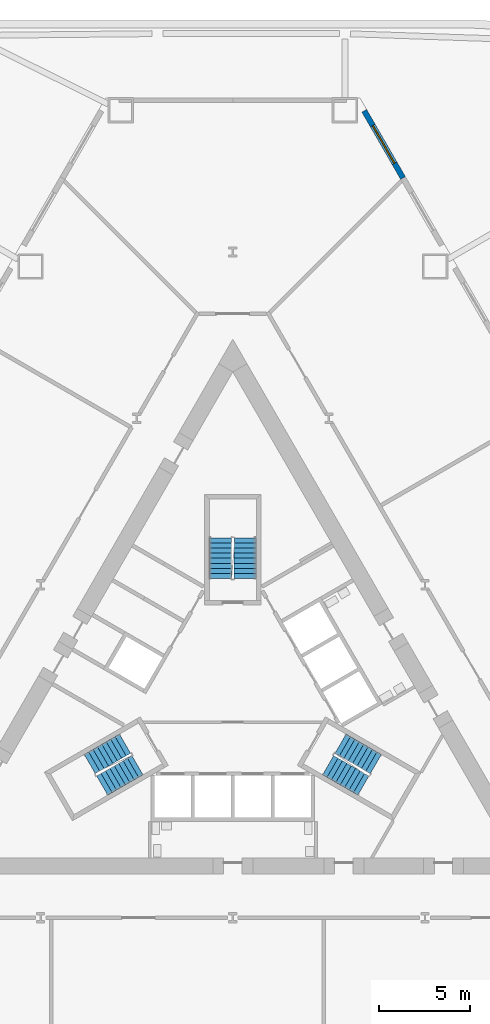
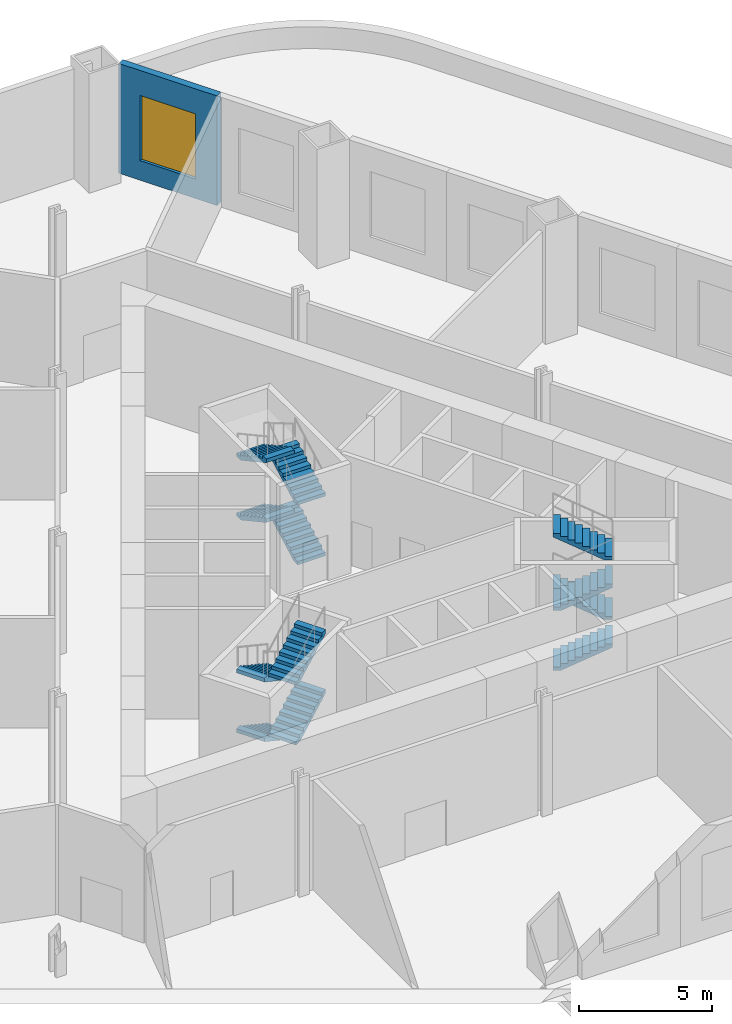
# One storey, part 7 of 10: 12 stair flights, 1 wall, 1 window, 1 opening, 3 elements without a shape of their own.
"""IFC4 building model written with IfcOpenShell, lengths in metres."""

import ifcopenshell
import ifcopenshell.guid

model = None  # the IFC model being written
_history = None  # IfcOwnerHistory: only IFC2X3 demands one
_inside = {}  # id of a spatial element -> (the spatial element, [elements in it])
_under = {}  # id of a project, library or spatial element -> (it, [spatial elements below it])
_declared = {}  # id of a project -> (the project, [libraries it declares])
_typed = {}  # id of a type object -> (the type object, [elements of that type])
_made_of = {}  # id of a material, layer set ... -> (it, [elements and type objects made of it])


def new_model(schema):
    """Start an empty IFC model of exactly this schema.

    Asked for "IFC4X3", IfcOpenShell would pick the latest addendum, in which some entities
    have other attributes; the version numbers below select the first issue.
    IFC2X3 requires an IfcOwnerHistory on every rooted entity: one is made here for all.
    """
    global model, _history
    if schema == "IFC4X3":
        model = ifcopenshell.file(schema_version=(4, 3, 0, 0))
    else:
        model = ifcopenshell.file(schema=schema)
    _inside.clear()
    _under.clear()
    _declared.clear()
    _typed.clear()
    _made_of.clear()
    _history = None
    if model.schema == "IFC2X3":
        org = make("IfcOrganization", Name="unknown")
        user = make(
            "IfcPersonAndOrganization",
            ThePerson=make("IfcPerson", FamilyName="unknown"),
            TheOrganization=org,
        )
        app = make(
            "IfcApplication",
            ApplicationDeveloper=org,
            Version="unknown",
            ApplicationFullName="unknown",
            ApplicationIdentifier="unknown",
        )
        _history = make(
            "IfcOwnerHistory",
            OwningUser=user,
            OwningApplication=app,
            ChangeAction="ADDED",
            CreationDate=0,
        )
    return model


def make(cls, **values):
    """One entity of the class cls with the attributes given. An attribute that is None is left unset."""
    return model.create_entity(
        cls, **{name: value for name, value in values.items() if value is not None}
    )


def rooted(cls, **values):
    """An entity with a GlobalId (a new one), such as an element, a storey or a relation."""
    return make(cls, GlobalId=ifcopenshell.guid.new(), OwnerHistory=_history, **values)


def si_unit(unit_type, name, prefix=None):
    """IfcSIUnit, for example si_unit("LENGTHUNIT", "METRE", prefix="MILLI")."""
    return make("IfcSIUnit", UnitType=unit_type, Prefix=prefix, Name=name)


def assignment(units):
    """IfcUnitAssignment: the units of a project."""
    return None if units is None else make("IfcUnitAssignment", Units=units)


def point(xyz):
    """IfcCartesianPoint."""
    return None if xyz is None else make("IfcCartesianPoint", Coordinates=xyz)


def direction(xyz):
    """IfcDirection."""
    return None if xyz is None else make("IfcDirection", DirectionRatios=xyz)


def frame(location, z_axis=None, x_axis=None):
    """IfcAxis2Placement3D, a coordinate frame: its origin and axes. An axis left out is left unset."""
    return make(
        "IfcAxis2Placement3D",
        Location=point(location),
        Axis=direction(z_axis),
        RefDirection=direction(x_axis),
    )


def frame_2d(location, x_axis=None):
    """IfcAxis2Placement2D, a coordinate frame in the plane: its origin and x axis."""
    return make(
        "IfcAxis2Placement2D", Location=point(location), RefDirection=direction(x_axis)
    )


def origin():
    """The frame at (0, 0, 0) with its axes left unset."""
    return frame((0.0, 0.0, 0.0))


def place(relative_to, where):
    """IfcLocalPlacement: puts the frame where relative to a parent placement (None: the world)."""
    return make(
        "IfcLocalPlacement", PlacementRelTo=relative_to, RelativePlacement=where
    )


def context(
    kind, dimensions, precision=None, world=None, true_north=None, identifier=None
):
    """IfcGeometricRepresentationContext, for example the 3D "Model" context."""
    return make(
        "IfcGeometricRepresentationContext",
        ContextIdentifier=identifier,
        ContextType=kind,
        CoordinateSpaceDimension=dimensions,
        Precision=precision,
        WorldCoordinateSystem=world,
        TrueNorth=true_north,
    )


def subcontext(parent, identifier, kind, view, scale=None):
    """IfcGeometricRepresentationSubContext, for example "Body" below "Model"."""
    return make(
        "IfcGeometricRepresentationSubContext",
        ContextIdentifier=identifier,
        ContextType=kind,
        ParentContext=parent,
        TargetScale=scale,
        TargetView=view,
    )


def project(units=None, contexts=None):
    """IfcProject with its units and contexts."""
    return rooted(
        "IfcProject",
        Name="project",
        RepresentationContexts=contexts,
        UnitsInContext=assignment(units),
    )


def spatial(cls, under=None, at=None, **own):
    """A site, building, storey or space (cls), placed at a placement, below another one or the project."""
    s = rooted(cls, ObjectPlacement=at, **own)
    if under is not None:
        _under.setdefault(under.id(), (under, []))[1].append(s)
    return s


def polyline(points):
    """IfcPolyline through the points."""
    return make("IfcPolyline", Points=[point(p) for p in points])


def profile(cls, at=None, kind="AREA", **sizes):
    """A parametric profile (cls). Its sizes go by their IFC names, for example OverallWidth=200.0."""
    return make(cls, ProfileType=kind, Position=at, **sizes)


def rectangle(**sizes):
    """IfcRectangleProfileDef."""
    return profile("IfcRectangleProfileDef", **sizes)


def outline(outer, holes=None, kind="AREA"):
    """IfcArbitraryClosedProfileDef: a profile drawn as a closed curve; with holes, ...WithVoids."""
    if holes is None:
        return make("IfcArbitraryClosedProfileDef", ProfileType=kind, OuterCurve=outer)
    return make(
        "IfcArbitraryProfileDefWithVoids",
        ProfileType=kind,
        OuterCurve=outer,
        InnerCurves=holes,
    )


def extrude(swept, where, along, depth):
    """IfcExtrudedAreaSolid: the profile swept, set in the frame where, extruded along a direction by depth."""
    return make(
        "IfcExtrudedAreaSolid",
        SweptArea=swept,
        Position=where,
        ExtrudedDirection=direction(along),
        Depth=depth,
    )


def shape(context_of_items, identifier, shape_type, items):
    """IfcShapeRepresentation: the items that make up one representation, for example the "Body"."""
    return make(
        "IfcShapeRepresentation",
        ContextOfItems=context_of_items,
        RepresentationIdentifier=identifier,
        RepresentationType=shape_type,
        Items=items,
    )


def material(Name=None, Category=None):
    """IfcMaterial."""
    return make("IfcMaterial", Name=Name, Category=Category)


def layer(
    of_material, thickness, ventilated=None, Name=None, Category=None, Priority=None
):
    """IfcMaterialLayer: one layer of a wall or slab, of a material (None: an air gap)."""
    return make(
        "IfcMaterialLayer",
        Material=of_material,
        LayerThickness=thickness,
        IsVentilated=ventilated,
        Name=Name,
        Category=Category,
        Priority=Priority,
    )


def layer_set(layers, Name=None):
    """IfcMaterialLayerSet."""
    return make("IfcMaterialLayerSet", MaterialLayers=layers, LayerSetName=Name)


def made_of(thing, what):
    """Note that an element or type object is made of a material, layer set ...; save() writes the relation."""
    if what is not None:
        _made_of.setdefault(what.id(), (what, []))[1].append(thing)
    return thing


def type_object(cls, material=None, **own):
    """A type object (cls), such as IfcWallType, which elements share."""
    return made_of(rooted(cls, **own), material)


def element(
    cls,
    number,
    at=None,
    inside=None,
    cuts=None,
    type_object=None,
    material=None,
    context=None,
    identifier="Body",
    shape_type=None,
    held_by="IfcProductDefinitionShape",
    body=None,
    shapes=None,
    **own,
):
    """One element of the class cls, such as IfcWall. Its Tag is "e" and its number.

    at: its placement. inside: the storey or other place that contains it. cuts: it is an
    opening in that element (IfcRelVoidsElement). A single representation is given by context,
    identifier, shape_type and body (its items); several are given by shapes. held_by: the class
    of the entity that holds the representations. save() writes the other relations.
    """
    e = rooted(cls, Tag="e%d" % number, ObjectPlacement=at, **own)
    if body is not None:
        shapes = [shape(context, identifier, shape_type, body)]
    if shapes is not None:
        e.Representation = make(held_by, Representations=shapes)
    if inside is not None:
        _inside.setdefault(inside.id(), (inside, []))[1].append(e)
    if cuts is not None:
        rooted(
            "IfcRelVoidsElement", RelatingBuildingElement=cuts, RelatedOpeningElement=e
        )
    if type_object is not None:
        _typed.setdefault(type_object.id(), (type_object, []))[1].append(e)
    return made_of(e, material)


def fill(opening, filler):
    """IfcRelFillsElement: the door or window that sits in an opening."""
    return rooted(
        "IfcRelFillsElement",
        RelatingOpeningElement=opening,
        RelatedBuildingElement=filler,
    )


def aggregate(whole, parts):
    """IfcRelAggregates: a whole, such as a stair, and the parts it consists of."""
    return rooted("IfcRelAggregates", RelatingObject=whole, RelatedObjects=parts)


def save(model, path):
    """Write the relations noted so far, then the file.

    IfcRelAggregates (storeys below a building ...), IfcRelContainedInSpatialStructure (elements
    in a storey), IfcRelDefinesByType, IfcRelAssociatesMaterial and IfcRelDeclares: one each for
    every whole, place, type object, material and project.
    """
    for whole, parts in _under.values():
        aggregate(whole, parts)
    for where, things in _inside.values():
        rooted(
            "IfcRelContainedInSpatialStructure",
            RelatedElements=things,
            RelatingStructure=where,
        )
    for kind, things in _typed.values():
        rooted("IfcRelDefinesByType", RelatedObjects=things, RelatingType=kind)
    for what, things in _made_of.values():
        rooted("IfcRelAssociatesMaterial", RelatedObjects=things, RelatingMaterial=what)
    for by, libraries in _declared.values():
        rooted("IfcRelDeclares", RelatingContext=by, RelatedDefinitions=libraries)
    model.write(path)


model = new_model("IFC4")

# Units and contexts
model_context = context("Model", 3, precision=1e-05, world=origin(), true_north=direction((0.0, 1.0)))
body_context = subcontext(model_context, "Body", "Model", "MODEL_VIEW")
ifc_project = project(units=[si_unit("LENGTHUNIT", "METRE"), si_unit("AREAUNIT", "SQUARE_METRE"), si_unit("VOLUMEUNIT", "CUBIC_METRE"), si_unit("PLANEANGLEUNIT", "RADIAN"), si_unit("MASSUNIT", "GRAM", prefix="KILO")], contexts=[model_context])

# Site, building, storey
site_placement = place(None, origin())
site = spatial("IfcSite", under=ifc_project, at=site_placement, CompositionType="ELEMENT")
building_placement = place(site_placement, origin())
building = spatial("IfcBuilding", under=site, at=building_placement, Name="Cormorant Prow Tower", CompositionType="ELEMENT")
storey_placement = place(building_placement, frame((0.0, 0.0, 10.0)))
storey = spatial("IfcBuildingStorey", under=building, at=storey_placement, Name="L01", CompositionType="ELEMENT", Elevation=10.0)

# Wall, opening, window
ifc_material_1 = material(Name="Terracotta", Category="masonry")
ifc_layer = layer(ifc_material_1, 0.300048828125)
ifc_layer_set = layer_set([ifc_layer], Name="Terracotta")
wall_type = type_object("IfcWallType", Name="Terracotta podium cladding wall 300", PredefinedType="SOLIDWALL", material=ifc_layer_set)
wall_placement = place(storey_placement, frame((9.3701171875, 28.50390625, 0.0), z_axis=(0.0, 0.0, 1.0), x_axis=(-0.500019418418, 0.866014192265, 0.0)))
wall = element("IfcWall", 1, at=wall_placement, inside=storey, type_object=wall_type, Name="Terracotta podium wall ENE09", PredefinedType="SOLIDWALL", context=body_context, shape_type="SweptSolid", body=[
    extrude(rectangle(XDim=4.269775390625, YDim=0.300048828125, at=frame_2d((2.134765625, 0.0))), origin(), (0.0, 0.0, 1.0), 5.050048828125),
])
opening_placement = place(wall_placement, frame((0.93505859375, 0.0, 0.89990234375)))
opening = element("IfcOpeningElement", 2, at=opening_placement, cuts=wall, Name="Opening WN21", PredefinedType="OPENING", context=body_context, shape_type="SweptSolid", body=[
    extrude(rectangle(XDim=2.39990234375, YDim=3.0, at=frame_2d((1.199951171875, 1.5))), frame((0.0, 0.159912109375, 0.0), z_axis=(0.0, -1.0, 0.0), x_axis=(1.0, 0.0, 0.0)), (0.0, 0.0, 1.0), 0.320068359375),
])
ifc_material_2 = material(Name="Aluminium 6063-T6", Category="aluminium")
window_type = type_object("IfcWindowType", Name="Podium window 2400x3000", PartitioningType="SINGLE_PANEL", PredefinedType="WINDOW", material=ifc_material_2)
window_placement = place(opening_placement, origin())
window = element("IfcWindow", 3, at=window_placement, inside=storey, type_object=window_type, Name="Podium window ENE09", OverallHeight=3.0, OverallWidth=2.39990234375, PartitioningType="SINGLE_PANEL", PredefinedType="WINDOW", context=body_context, shape_type="SweptSolid", body=[
    extrude(rectangle(XDim=2.39990234375, YDim=3.0, at=frame_2d((1.199951171875, 1.5))), frame((0.0, 0.030029296875, 0.0), z_axis=(0.0, -1.0, 0.0), x_axis=(1.0, 0.0, 0.0)), (0.0, 0.0, 1.0), 0.06005859375),
])
fill(opening, window)

# Stair, stair flights
ifc_material_3 = material(Name="Exit stair 36 risers")
stair_type = type_object("IfcStairType", Name="Exit stair 36 risers", PredefinedType="HALF_TURN_STAIR", material=ifc_material_3)
stair_1_placement = place(storey_placement, origin())
stair_1 = element("IfcStair", 4, at=stair_1_placement, inside=storey, type_object=stair_type, Name="L01 Exit stair ST1", PredefinedType="HALF_TURN_STAIR")
ifc_material_4 = material(Name="Concrete 5000 psi", Category="concrete")
stair_flight_type = type_object("IfcStairFlightType", Name="Stair flight 1219", PredefinedType="STRAIGHT", material=ifc_material_4)
stair_flight_1_placement = place(storey_placement, frame((-5.93310546875, -2.635009765625, 0.0), z_axis=(0.0, 0.0, 1.0), x_axis=(-0.866025403784, -0.5, 0.0)))
stair_flight_1 = element("IfcStairFlight", 5, at=stair_flight_1_placement, type_object=stair_flight_type, Name="ST1 flight 1", NumberOfRisers=9, NumberOfTreads=8, PredefinedType="STRAIGHT", RiserHeight=0.152777778, TreadLength=0.28, context=body_context, shape_type="SweptSolid", body=[
    extrude(outline(polyline([(0.0, 0.0), (0.0, 0.15283203125), (0.280029296875, 0.15283203125), (0.280029296875, 0.3056640625), (0.56005859375, 0.3056640625), (0.56005859375, 0.458251953125), (0.840087890625, 0.458251953125), (0.840087890625, 0.611083984375), (1.1201171875, 0.611083984375), (1.1201171875, 0.763916015625), (1.39990234375, 0.763916015625), (1.39990234375, 0.916748046875), (1.679931640625, 0.916748046875), (1.679931640625, 1.0693359375), (1.9599609375, 1.0693359375), (1.9599609375, 1.22216796875), (2.239990234375, 1.22216796875), (2.239990234375, 1.375), (2.239990234375, 1.051513671875), (0.31298828125, 0.0), (0.0, 0.0)])), frame((0.0, 0.609375, 0.0), z_axis=(0.0, -1.0, 0.0), x_axis=(1.0, 0.0, 0.0)), (0.0, 0.0, 1.0), 1.218994140625),
])
stair_flight_2_placement = place(storey_placement, frame((-7.1884765625, -4.940673828125, 1.375), z_axis=(0.0, 0.0, 1.0), x_axis=(0.866025403784, 0.5, 0.0)))
stair_flight_2 = element("IfcStairFlight", 6, at=stair_flight_2_placement, type_object=stair_flight_type, Name="ST1 flight 2", NumberOfRisers=9, NumberOfTreads=8, PredefinedType="STRAIGHT", RiserHeight=0.152777778, TreadLength=0.28, context=body_context, shape_type="SweptSolid", body=[
    extrude(outline(polyline([(0.0, 0.0), (0.0, 0.15283203125), (0.280029296875, 0.15283203125), (0.280029296875, 0.3056640625), (0.56005859375, 0.3056640625), (0.56005859375, 0.458251953125), (0.840087890625, 0.458251953125), (0.840087890625, 0.611083984375), (1.1201171875, 0.611083984375), (1.1201171875, 0.763916015625), (1.39990234375, 0.763916015625), (1.39990234375, 0.916748046875), (1.679931640625, 0.916748046875), (1.679931640625, 1.0693359375), (1.9599609375, 1.0693359375), (1.9599609375, 1.22216796875), (2.239990234375, 1.22216796875), (2.239990234375, 1.375), (2.239990234375, 1.051513671875), (0.31298828125, 0.0), (0.0, 0.0)])), frame((0.0, 0.609375, 0.0), z_axis=(0.0, -1.0, 0.0), x_axis=(1.0, 0.0, 0.0)), (0.0, 0.0, 1.0), 1.218994140625),
])
stair_flight_3_placement = place(storey_placement, frame((-5.93310546875, -2.635009765625, 2.75), z_axis=(0.0, 0.0, 1.0), x_axis=(-0.866025403784, -0.5, 0.0)))
stair_flight_3 = element("IfcStairFlight", 7, at=stair_flight_3_placement, type_object=stair_flight_type, Name="ST1 flight 3", NumberOfRisers=9, NumberOfTreads=8, PredefinedType="STRAIGHT", RiserHeight=0.152777778, TreadLength=0.28, context=body_context, shape_type="SweptSolid", body=[
    extrude(outline(polyline([(0.0, 0.0), (0.0, 0.15283203125), (0.280029296875, 0.15283203125), (0.280029296875, 0.3056640625), (0.56005859375, 0.3056640625), (0.56005859375, 0.458251953125), (0.840087890625, 0.458251953125), (0.840087890625, 0.611083984375), (1.1201171875, 0.611083984375), (1.1201171875, 0.763916015625), (1.39990234375, 0.763916015625), (1.39990234375, 0.916748046875), (1.679931640625, 0.916748046875), (1.679931640625, 1.0693359375), (1.9599609375, 1.0693359375), (1.9599609375, 1.22216796875), (2.239990234375, 1.22216796875), (2.239990234375, 1.375), (2.239990234375, 1.051513671875), (0.31298828125, 0.0), (0.0, 0.0)])), frame((0.0, 0.609375, 0.0), z_axis=(0.0, -1.0, 0.0), x_axis=(1.0, 0.0, 0.0)), (0.0, 0.0, 1.0), 1.218994140625),
])
stair_flight_4_placement = place(storey_placement, frame((-7.1884765625, -4.940673828125, 4.125), z_axis=(0.0, 0.0, 1.0), x_axis=(0.866025403784, 0.5, 0.0)))
stair_flight_4 = element("IfcStairFlight", 8, at=stair_flight_4_placement, type_object=stair_flight_type, Name="ST1 flight 4", NumberOfRisers=9, NumberOfTreads=8, PredefinedType="STRAIGHT", RiserHeight=0.152777778, TreadLength=0.28, context=body_context, shape_type="SweptSolid", body=[
    extrude(outline(polyline([(0.0, 0.0), (0.0, 0.15283203125), (0.280029296875, 0.15283203125), (0.280029296875, 0.3056640625), (0.56005859375, 0.3056640625), (0.56005859375, 0.458251953125), (0.840087890625, 0.458251953125), (0.840087890625, 0.611083984375), (1.1201171875, 0.611083984375), (1.1201171875, 0.763916015625), (1.39990234375, 0.763916015625), (1.39990234375, 0.916748046875), (1.679931640625, 0.916748046875), (1.679931640625, 1.0693359375), (1.9599609375, 1.0693359375), (1.9599609375, 1.22216796875), (2.239990234375, 1.22216796875), (2.239990234375, 1.375), (2.239990234375, 1.051513671875), (0.31298828125, 0.0), (0.0, 0.0)])), frame((0.0, 0.609375, 0.0), z_axis=(0.0, -1.0, 0.0), x_axis=(1.0, 0.0, 0.0)), (0.0, 0.0, 1.0), 1.218994140625),
])
aggregate(stair_1, [stair_flight_1, stair_flight_2, stair_flight_3, stair_flight_4])

stair_2_placement = place(storey_placement, origin())
stair_2 = element("IfcStair", 9, at=stair_2_placement, inside=storey, type_object=stair_type, Name="L01 Exit stair ST2", PredefinedType="HALF_TURN_STAIR")
stair_flight_5_placement = place(storey_placement, frame((5.24853515625, -3.82080078125, 0.0), z_axis=(0.0, 0.0, 1.0), x_axis=(0.866025403784, -0.5, 0.0)))
stair_flight_5 = element("IfcStairFlight", 10, at=stair_flight_5_placement, type_object=stair_flight_type, Name="ST2 flight 1", NumberOfRisers=9, NumberOfTreads=8, PredefinedType="STRAIGHT", RiserHeight=0.152777778, TreadLength=0.28, context=body_context, shape_type="SweptSolid", body=[
    extrude(outline(polyline([(0.0, 0.0), (0.0, 0.15283203125), (0.280029296875, 0.15283203125), (0.280029296875, 0.3056640625), (0.56005859375, 0.3056640625), (0.56005859375, 0.458251953125), (0.840087890625, 0.458251953125), (0.840087890625, 0.611083984375), (1.1201171875, 0.611083984375), (1.1201171875, 0.763916015625), (1.39990234375, 0.763916015625), (1.39990234375, 0.916748046875), (1.679931640625, 0.916748046875), (1.679931640625, 1.0693359375), (1.9599609375, 1.0693359375), (1.9599609375, 1.22216796875), (2.239990234375, 1.22216796875), (2.239990234375, 1.375), (2.239990234375, 1.051513671875), (0.31298828125, 0.0), (0.0, 0.0)])), frame((0.0, 0.609375, 0.0), z_axis=(0.0, -1.0, 0.0), x_axis=(1.0, 0.0, 0.0)), (0.0, 0.0, 1.0), 1.218994140625),
])
stair_flight_6_placement = place(storey_placement, frame((7.873046875, -3.755126953125, 1.375), z_axis=(0.0, 0.0, 1.0), x_axis=(-0.866025403784, 0.5, 0.0)))
stair_flight_6 = element("IfcStairFlight", 11, at=stair_flight_6_placement, type_object=stair_flight_type, Name="ST2 flight 2", NumberOfRisers=9, NumberOfTreads=8, PredefinedType="STRAIGHT", RiserHeight=0.152777778, TreadLength=0.28, context=body_context, shape_type="SweptSolid", body=[
    extrude(outline(polyline([(0.0, 0.0), (0.0, 0.15283203125), (0.280029296875, 0.15283203125), (0.280029296875, 0.3056640625), (0.56005859375, 0.3056640625), (0.56005859375, 0.458251953125), (0.840087890625, 0.458251953125), (0.840087890625, 0.611083984375), (1.1201171875, 0.611083984375), (1.1201171875, 0.763916015625), (1.39990234375, 0.763916015625), (1.39990234375, 0.916748046875), (1.679931640625, 0.916748046875), (1.679931640625, 1.0693359375), (1.9599609375, 1.0693359375), (1.9599609375, 1.22216796875), (2.239990234375, 1.22216796875), (2.239990234375, 1.375), (2.239990234375, 1.051513671875), (0.31298828125, 0.0), (0.0, 0.0)])), frame((0.0, 0.609375, 0.0), z_axis=(0.0, -1.0, 0.0), x_axis=(1.0, 0.0, 0.0)), (0.0, 0.0, 1.0), 1.218994140625),
])
stair_flight_7_placement = place(storey_placement, frame((5.24853515625, -3.82080078125, 2.75), z_axis=(0.0, 0.0, 1.0), x_axis=(0.866025403784, -0.5, 0.0)))
stair_flight_7 = element("IfcStairFlight", 12, at=stair_flight_7_placement, type_object=stair_flight_type, Name="ST2 flight 3", NumberOfRisers=9, NumberOfTreads=8, PredefinedType="STRAIGHT", RiserHeight=0.152777778, TreadLength=0.28, context=body_context, shape_type="SweptSolid", body=[
    extrude(outline(polyline([(0.0, 0.0), (0.0, 0.15283203125), (0.280029296875, 0.15283203125), (0.280029296875, 0.3056640625), (0.56005859375, 0.3056640625), (0.56005859375, 0.458251953125), (0.840087890625, 0.458251953125), (0.840087890625, 0.611083984375), (1.1201171875, 0.611083984375), (1.1201171875, 0.763916015625), (1.39990234375, 0.763916015625), (1.39990234375, 0.916748046875), (1.679931640625, 0.916748046875), (1.679931640625, 1.0693359375), (1.9599609375, 1.0693359375), (1.9599609375, 1.22216796875), (2.239990234375, 1.22216796875), (2.239990234375, 1.375), (2.239990234375, 1.051513671875), (0.31298828125, 0.0), (0.0, 0.0)])), frame((0.0, 0.609375, 0.0), z_axis=(0.0, -1.0, 0.0), x_axis=(1.0, 0.0, 0.0)), (0.0, 0.0, 1.0), 1.218994140625),
])
stair_flight_8_placement = place(storey_placement, frame((7.873046875, -3.755126953125, 4.125), z_axis=(0.0, 0.0, 1.0), x_axis=(-0.866025403784, 0.5, 0.0)))
stair_flight_8 = element("IfcStairFlight", 13, at=stair_flight_8_placement, type_object=stair_flight_type, Name="ST2 flight 4", NumberOfRisers=9, NumberOfTreads=8, PredefinedType="STRAIGHT", RiserHeight=0.152777778, TreadLength=0.28, context=body_context, shape_type="SweptSolid", body=[
    extrude(outline(polyline([(0.0, 0.0), (0.0, 0.15283203125), (0.280029296875, 0.15283203125), (0.280029296875, 0.3056640625), (0.56005859375, 0.3056640625), (0.56005859375, 0.458251953125), (0.840087890625, 0.458251953125), (0.840087890625, 0.611083984375), (1.1201171875, 0.611083984375), (1.1201171875, 0.763916015625), (1.39990234375, 0.763916015625), (1.39990234375, 0.916748046875), (1.679931640625, 0.916748046875), (1.679931640625, 1.0693359375), (1.9599609375, 1.0693359375), (1.9599609375, 1.22216796875), (2.239990234375, 1.22216796875), (2.239990234375, 1.375), (2.239990234375, 1.051513671875), (0.31298828125, 0.0), (0.0, 0.0)])), frame((0.0, 0.609375, 0.0), z_axis=(0.0, -1.0, 0.0), x_axis=(1.0, 0.0, 0.0)), (0.0, 0.0, 1.0), 1.218994140625),
])
aggregate(stair_2, [stair_flight_5, stair_flight_6, stair_flight_7, stair_flight_8])

stair_3_placement = place(storey_placement, origin())
stair_3 = element("IfcStair", 14, at=stair_3_placement, inside=storey, type_object=stair_type, Name="L01 Exit stair ST3", PredefinedType="HALF_TURN_STAIR")
stair_flight_9_placement = place(storey_placement, frame((0.6845703125, 6.455810546875, 0.0), z_axis=(0.0, 0.0, 1.0), x_axis=(0.0, 1.0, 0.0)))
stair_flight_9 = element("IfcStairFlight", 15, at=stair_flight_9_placement, type_object=stair_flight_type, Name="ST3 flight 1", NumberOfRisers=9, NumberOfTreads=8, PredefinedType="STRAIGHT", RiserHeight=0.152777778, TreadLength=0.28, context=body_context, shape_type="SweptSolid", body=[
    extrude(outline(polyline([(0.0, 0.0), (0.0, 0.15283203125), (0.280029296875, 0.15283203125), (0.280029296875, 0.3056640625), (0.56005859375, 0.3056640625), (0.56005859375, 0.458251953125), (0.840087890625, 0.458251953125), (0.840087890625, 0.611083984375), (1.1201171875, 0.611083984375), (1.1201171875, 0.763916015625), (1.39990234375, 0.763916015625), (1.39990234375, 0.916748046875), (1.679931640625, 0.916748046875), (1.679931640625, 1.0693359375), (1.9599609375, 1.0693359375), (1.9599609375, 1.22216796875), (2.239990234375, 1.22216796875), (2.239990234375, 1.375), (2.239990234375, 1.051513671875), (0.31298828125, 0.0), (0.0, 0.0)])), frame((0.0, 0.609375, 0.0), z_axis=(0.0, -1.0, 0.0), x_axis=(1.0, 0.0, 0.0)), (0.0, 0.0, 1.0), 1.218994140625),
])
stair_flight_10_placement = place(storey_placement, frame((-0.6845703125, 8.69580078125, 1.375), z_axis=(0.0, 0.0, 1.0), x_axis=(0.0, -1.0, 0.0)))
stair_flight_10 = element("IfcStairFlight", 16, at=stair_flight_10_placement, type_object=stair_flight_type, Name="ST3 flight 2", NumberOfRisers=9, NumberOfTreads=8, PredefinedType="STRAIGHT", RiserHeight=0.152777778, TreadLength=0.28, context=body_context, shape_type="SweptSolid", body=[
    extrude(outline(polyline([(0.0, 0.0), (0.0, 0.15283203125), (0.280029296875, 0.15283203125), (0.280029296875, 0.3056640625), (0.56005859375, 0.3056640625), (0.56005859375, 0.458251953125), (0.840087890625, 0.458251953125), (0.840087890625, 0.611083984375), (1.1201171875, 0.611083984375), (1.1201171875, 0.763916015625), (1.39990234375, 0.763916015625), (1.39990234375, 0.916748046875), (1.679931640625, 0.916748046875), (1.679931640625, 1.0693359375), (1.9599609375, 1.0693359375), (1.9599609375, 1.22216796875), (2.239990234375, 1.22216796875), (2.239990234375, 1.375), (2.239990234375, 1.051513671875), (0.31298828125, 0.0), (0.0, 0.0)])), frame((0.0, 0.609375, 0.0), z_axis=(0.0, -1.0, 0.0), x_axis=(1.0, 0.0, 0.0)), (0.0, 0.0, 1.0), 1.218994140625),
])
stair_flight_11_placement = place(storey_placement, frame((0.6845703125, 6.455810546875, 2.75), z_axis=(0.0, 0.0, 1.0), x_axis=(0.0, 1.0, 0.0)))
stair_flight_11 = element("IfcStairFlight", 17, at=stair_flight_11_placement, type_object=stair_flight_type, Name="ST3 flight 3", NumberOfRisers=9, NumberOfTreads=8, PredefinedType="STRAIGHT", RiserHeight=0.152777778, TreadLength=0.28, context=body_context, shape_type="SweptSolid", body=[
    extrude(outline(polyline([(0.0, 0.0), (0.0, 0.15283203125), (0.280029296875, 0.15283203125), (0.280029296875, 0.3056640625), (0.56005859375, 0.3056640625), (0.56005859375, 0.458251953125), (0.840087890625, 0.458251953125), (0.840087890625, 0.611083984375), (1.1201171875, 0.611083984375), (1.1201171875, 0.763916015625), (1.39990234375, 0.763916015625), (1.39990234375, 0.916748046875), (1.679931640625, 0.916748046875), (1.679931640625, 1.0693359375), (1.9599609375, 1.0693359375), (1.9599609375, 1.22216796875), (2.239990234375, 1.22216796875), (2.239990234375, 1.375), (2.239990234375, 1.051513671875), (0.31298828125, 0.0), (0.0, 0.0)])), frame((0.0, 0.609375, 0.0), z_axis=(0.0, -1.0, 0.0), x_axis=(1.0, 0.0, 0.0)), (0.0, 0.0, 1.0), 1.218994140625),
])
stair_flight_12_placement = place(storey_placement, frame((-0.6845703125, 8.69580078125, 4.125), z_axis=(0.0, 0.0, 1.0), x_axis=(0.0, -1.0, 0.0)))
stair_flight_12 = element("IfcStairFlight", 18, at=stair_flight_12_placement, type_object=stair_flight_type, Name="ST3 flight 4", NumberOfRisers=9, NumberOfTreads=8, PredefinedType="STRAIGHT", RiserHeight=0.152777778, TreadLength=0.28, context=body_context, shape_type="SweptSolid", body=[
    extrude(outline(polyline([(0.0, 0.0), (0.0, 0.15283203125), (0.280029296875, 0.15283203125), (0.280029296875, 0.3056640625), (0.56005859375, 0.3056640625), (0.56005859375, 0.458251953125), (0.840087890625, 0.458251953125), (0.840087890625, 0.611083984375), (1.1201171875, 0.611083984375), (1.1201171875, 0.763916015625), (1.39990234375, 0.763916015625), (1.39990234375, 0.916748046875), (1.679931640625, 0.916748046875), (1.679931640625, 1.0693359375), (1.9599609375, 1.0693359375), (1.9599609375, 1.22216796875), (2.239990234375, 1.22216796875), (2.239990234375, 1.375), (2.239990234375, 1.051513671875), (0.31298828125, 0.0), (0.0, 0.0)])), frame((0.0, 0.609375, 0.0), z_axis=(0.0, -1.0, 0.0), x_axis=(1.0, 0.0, 0.0)), (0.0, 0.0, 1.0), 1.218994140625),
])
aggregate(stair_3, [stair_flight_9, stair_flight_10, stair_flight_11, stair_flight_12])

save(model, "model.ifc")
